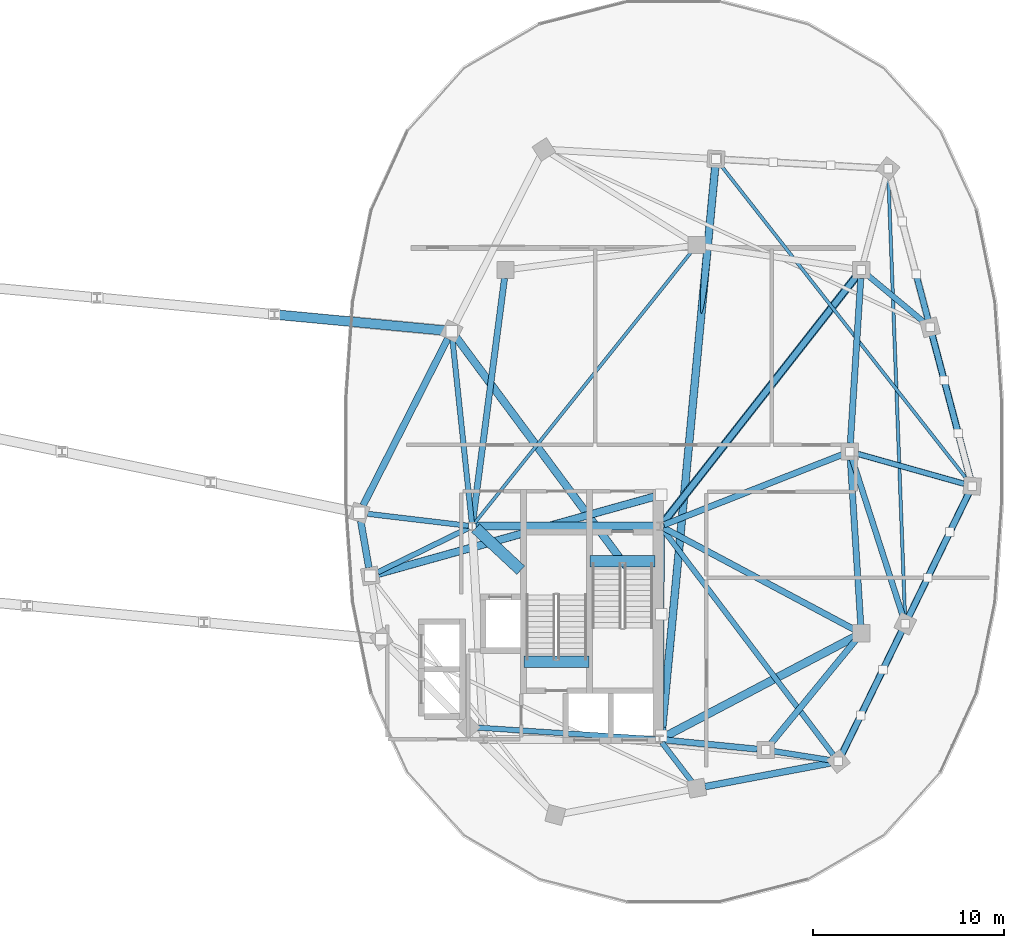
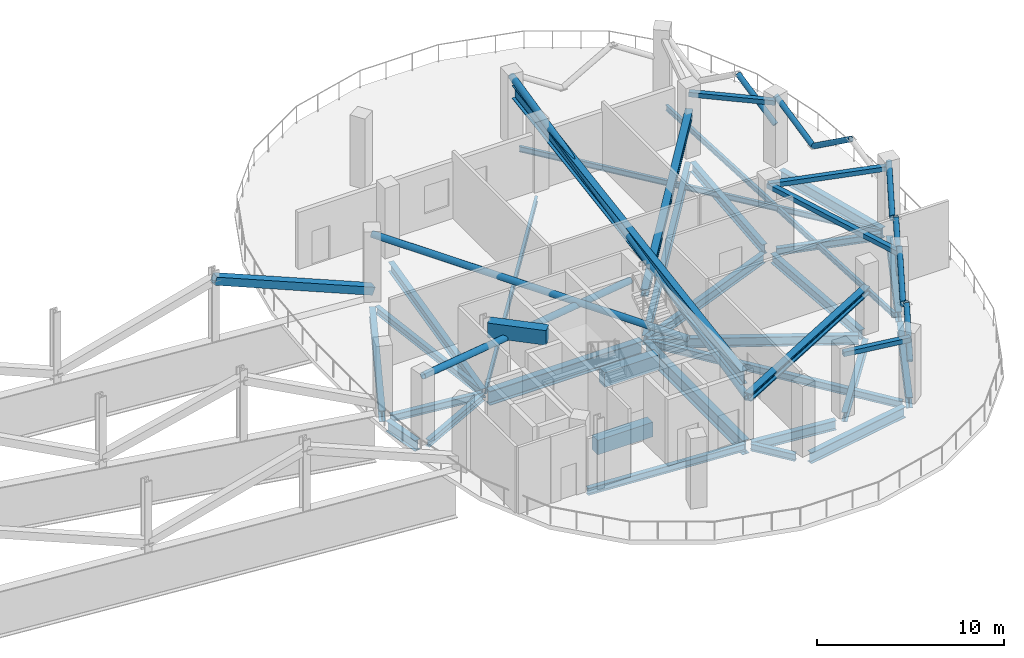
# One storey, part 5 of 16: 30 beams, 19 members.
"""IFC4 building model written with IfcOpenShell, lengths in metres."""

from ifc_helpers import new_model, si_unit, direction, frame, origin, origin_2d, place, context, subcontext, project, spatial, rectangle, hollow_rectangle, hollow_circle, i_section, extrude, material, material_profile, profile_set, type_object, element, save


model = new_model("IFC4")

# Units and contexts
model_context = context("Model", 3, precision=1e-05, world=origin(), true_north=direction((0.0, 1.0)))
body_context = subcontext(model_context, "Body", "Model", "MODEL_VIEW")
ifc_project = project(units=[si_unit("LENGTHUNIT", "METRE"), si_unit("AREAUNIT", "SQUARE_METRE"), si_unit("VOLUMEUNIT", "CUBIC_METRE"), si_unit("PLANEANGLEUNIT", "RADIAN"), si_unit("MASSUNIT", "GRAM", prefix="KILO"), si_unit("THERMODYNAMICTEMPERATUREUNIT", "KELVIN"), si_unit("POWERUNIT", "WATT")], contexts=[model_context])

# Site, building, storey
site_placement = place(None, origin())
site = spatial("IfcSite", under=ifc_project, at=site_placement, CompositionType="ELEMENT")
building_placement = place(site_placement, origin())
building = spatial("IfcBuilding", under=site, at=building_placement, Name="Cundina Bronze Exchange", CompositionType="ELEMENT")
storey_placement = place(building_placement, frame((0.0, 0.0, 235.0)))
storey = spatial("IfcBuildingStorey", under=building, at=storey_placement, Name="L62", CompositionType="ELEMENT", Elevation=235.0)

# Beams
ifc_material_1 = material(Name="Concrete C60/75", Category="concrete")
ifc_material_profile_1 = material_profile(ifc_material_1, rectangle(XDim=0.60009765625, YDim=0.949951171875, at=origin_2d()), Name="RC600X950", Category="concrete")
ifc_profile_set_1 = profile_set([ifc_material_profile_1], Name="Concrete C60/75")
beam_type_1 = type_object("IfcBeamType", Name="BM-COUP-RC950", PredefinedType="LINTEL", material=ifc_profile_set_1)
beam_1_placement = place(storey_placement, frame((27.6201171875, -5.719970703125, -0.47509765625), z_axis=(1.0, 0.0, 0.0), x_axis=(0.0, 1.0, 0.0)))
element("IfcBeam", 1, at=beam_1_placement, inside=storey, type_object=beam_type_1, Name="L62 Stair E1 Landing Header Beam", PredefinedType="LINTEL", context=body_context, shape_type="SweptSolid", body=[
    extrude(rectangle(XDim=0.60009765625, YDim=0.949951171875, at=origin_2d()), origin(), (0.0, 0.0, 1.0), 3.39990234375),
])
beam_2_placement = place(storey_placement, frame((24.159912109375, -10.97998046875, -0.47509765625), z_axis=(1.0, 0.0, 0.0), x_axis=(0.0, 1.0, 0.0)))
element("IfcBeam", 2, at=beam_2_placement, inside=storey, type_object=beam_type_1, Name="L62 Stair E2 Landing Header Beam", PredefinedType="LINTEL", context=body_context, shape_type="SweptSolid", body=[
    extrude(rectangle(XDim=0.60009765625, YDim=0.949951171875, at=origin_2d()), origin(), (0.0, 0.0, 1.0), 3.400146484375),
])
beam_3_placement = place(storey_placement, frame((21.6298828125, -4.0, 3.864990234375), z_axis=(0.731490439815, -0.681851696822, 0.0), x_axis=(0.681851696822, 0.731490439815, 0.0)))
element("IfcBeam", 3, at=beam_3_placement, inside=storey, type_object=beam_type_1, Name="L62 E Core Shear Coupling Lintel Beam", PredefinedType="LINTEL", context=body_context, shape_type="SweptSolid", body=[
    extrude(rectangle(XDim=0.60009765625, YDim=0.949951171875, at=origin_2d()), origin(), (0.0, 0.0, 1.0), 3.226318359375),
])
ifc_material_2 = material(Name="Steel ASTM A992 Grade 50", Category="steel")
ifc_material_profile_2 = material_profile(ifc_material_2, i_section(OverallWidth=0.280029296875, OverallDepth=0.462890625, WebThickness=0.0107421875, FlangeThickness=0.017333984375, FilletRadius=0.011962890625, at=origin_2d()), Name="W18X76", Category="steel")
ifc_profile_set_2 = profile_set([ifc_material_profile_2], Name="Steel ASTM A992 Grade 50")
beam_type_2 = type_object("IfcBeamType", Name="BM-FLR-W18A", PredefinedType="BEAM", material=ifc_profile_set_2)
beam_4_placement = place(storey_placement, frame((21.25537109375, -3.876953125, -0.511474609375), z_axis=(-0.993036786722, 0.117804669761, 0.0), x_axis=(-0.117804669761, -0.993036786722, 0.0)))
element("IfcBeam", 4, at=beam_4_placement, inside=storey, type_object=beam_type_2, Name="L62 Leg E Chordal Floor Beam 00", PredefinedType="BEAM", context=body_context, shape_type="SweptSolid", body=[
    extrude(i_section(OverallWidth=0.280029296875, OverallDepth=0.462890625, WebThickness=0.0107421875, FlangeThickness=0.017333984375, FilletRadius=0.011962890625, at=origin_2d()), origin(), (0.0, 0.0, 1.0), 5.307373046875),
])
beam_5_placement = place(storey_placement, frame((21.27392578125, -3.986083984375, -0.511474609375), z_axis=(-0.898613202677, -0.438741737214, 0.0), x_axis=(0.438741737214, -0.898613202677, 0.0)))
element("IfcBeam", 5, at=beam_5_placement, inside=storey, type_object=beam_type_2, Name="L62 Leg E Chordal Floor Beam 01", PredefinedType="BEAM", context=body_context, shape_type="SweptSolid", body=[
    extrude(i_section(OverallWidth=0.280029296875, OverallDepth=0.462890625, WebThickness=0.0107421875, FlangeThickness=0.017333984375, FilletRadius=0.011962890625, at=origin_2d()), origin(), (0.0, 0.0, 1.0), 5.2919921875),
])
beam_6_placement = place(storey_placement, frame((31.054443359375, -15.037353515625, -0.511474609375), z_axis=(-0.997894145252, 0.064863509559, 0.0), x_axis=(-0.064863509559, -0.997894145252, 0.0)))
element("IfcBeam", 6, at=beam_6_placement, inside=storey, type_object=beam_type_2, Name="L62 Leg E Chordal Floor Beam 03", PredefinedType="BEAM", context=body_context, shape_type="SweptSolid", body=[
    extrude(i_section(OverallWidth=0.280029296875, OverallDepth=0.462890625, WebThickness=0.0107421875, FlangeThickness=0.017333984375, FilletRadius=0.011962890625, at=origin_2d()), origin(), (0.0, 0.0, 1.0), 9.38720703125),
])
beam_7_placement = place(storey_placement, frame((31.369140625, -15.205810546875, -0.511474609375), z_axis=(0.60740437517, -0.794392802727, 0.0), x_axis=(0.794392802727, 0.60740437517, 0.0)))
element("IfcBeam", 7, at=beam_7_placement, inside=storey, type_object=beam_type_2, Name="L62 Leg E Chordal Floor Beam 05", PredefinedType="BEAM", context=body_context, shape_type="SweptSolid", body=[
    extrude(i_section(OverallWidth=0.280029296875, OverallDepth=0.462890625, WebThickness=0.0107421875, FlangeThickness=0.017333984375, FilletRadius=0.011962890625, at=origin_2d()), origin(), (0.0, 0.0, 1.0), 2.575927734375),
])
beam_8_placement = place(storey_placement, frame((31.418212890625, -4.056396484375, -0.511474609375), z_axis=(0.603104943786, -0.797661849897, 0.0), x_axis=(0.797661849897, 0.603104943786, 0.0)))
element("IfcBeam", 8, at=beam_8_placement, inside=storey, type_object=beam_type_2, Name="L62 Leg E Chordal Floor Beam 06", PredefinedType="BEAM", context=body_context, shape_type="SweptSolid", body=[
    extrude(i_section(OverallWidth=0.280029296875, OverallDepth=0.462890625, WebThickness=0.0107421875, FlangeThickness=0.017333984375, FilletRadius=0.011962890625, at=origin_2d()), origin(), (0.0, 0.0, 1.0), 14.785888671875),
])
beam_9_placement = place(storey_placement, frame((41.62158203125, -0.11865234375, -0.511474609375), z_axis=(0.96265679604, -0.270724755127, 0.0), x_axis=(0.270724755127, 0.96265679604, 0.0)))
element("IfcBeam", 9, at=beam_9_placement, inside=storey, type_object=beam_type_2, Name="L62 Leg E Chordal Floor Beam 08", PredefinedType="BEAM", context=body_context, shape_type="SweptSolid", body=[
    extrude(i_section(OverallWidth=0.280029296875, OverallDepth=0.462890625, WebThickness=0.0107421875, FlangeThickness=0.017333984375, FilletRadius=0.011962890625, at=origin_2d()), origin(), (0.0, 0.0, 1.0), 5.7724609375),
])
beam_10_placement = place(storey_placement, frame((21.429443359375, -3.705078125, -0.511474609375), z_axis=(-0.104810251666, 0.994492237851, 0.0), x_axis=(-0.994492237851, -0.104810251666, 0.0)))
element("IfcBeam", 10, at=beam_10_placement, inside=storey, type_object=beam_type_2, Name="L62 Leg E Chordal Floor Beam 13", PredefinedType="BEAM", context=body_context, shape_type="SweptSolid", body=[
    extrude(i_section(OverallWidth=0.280029296875, OverallDepth=0.462890625, WebThickness=0.0107421875, FlangeThickness=0.017333984375, FilletRadius=0.011962890625, at=origin_2d()), origin(), (0.0, 0.0, 1.0), 9.62255859375),
])
ifc_material_profile_3 = material_profile(ifc_material_2, i_section(OverallWidth=0.172119140625, OverallDepth=0.35791015625, WebThickness=0.0078125, FlangeThickness=0.01318359375, FilletRadius=0.010009765625, at=origin_2d()), Name="W14X38", Category="steel")
ifc_profile_set_3 = profile_set([ifc_material_profile_3], Name="Steel ASTM A992 Grade 50")
beam_type_3 = type_object("IfcBeamType", Name="BM-JST-W14", PredefinedType="JOIST", material=ifc_profile_set_3)
beam_11_placement = place(storey_placement, frame((21.572509765625, -3.746826171875, -0.458984375), z_axis=(0.624364266872, 0.781133319129, 0.0), x_axis=(-0.781133319129, 0.624364266872, 0.0)))
element("IfcBeam", 11, at=beam_11_placement, inside=storey, type_object=beam_type_3, Name="L62 E Interior Core-to-Ring Joist 2", PredefinedType="JOIST", context=body_context, shape_type="SweptSolid", body=[
    extrude(i_section(OverallWidth=0.172119140625, OverallDepth=0.35791015625, WebThickness=0.0078125, FlangeThickness=0.01318359375, FilletRadius=0.010009765625, at=origin_2d()), origin(), (0.0, 0.0, 1.0), 18.184814453125),
])
beam_12_placement = place(storey_placement, frame((44.08349609375, -8.562255859375, -0.458984375), z_axis=(-0.037790216102, 0.999285694667, 0.0), x_axis=(-0.999285694667, -0.037790216102, 0.0)))
element("IfcBeam", 12, at=beam_12_placement, inside=storey, type_object=beam_type_3, Name="L62 Leg E Lobe Floor Joist 07-10", PredefinedType="JOIST", context=body_context, shape_type="SweptSolid", body=[
    extrude(i_section(OverallWidth=0.172119140625, OverallDepth=0.35791015625, WebThickness=0.0078125, FlangeThickness=0.01318359375, FilletRadius=0.010009765625, at=origin_2d()), origin(), (0.0, 0.0, 1.0), 22.94091796875),
])
beam_13_placement = place(storey_placement, frame((47.329833984375, -1.455078125, -0.458984375), z_axis=(-0.616810493522, 0.787111691618, 0.0), x_axis=(-0.787111691618, -0.616810493522, 0.0)))
element("IfcBeam", 13, at=beam_13_placement, inside=storey, type_object=beam_type_3, Name="L62 Leg E Lobe Floor Joist 08-11", PredefinedType="JOIST", context=body_context, shape_type="SweptSolid", body=[
    extrude(i_section(OverallWidth=0.172119140625, OverallDepth=0.35791015625, WebThickness=0.0078125, FlangeThickness=0.01318359375, FilletRadius=0.010009765625, at=origin_2d()), origin(), (0.0, 0.0, 1.0), 20.8486328125),
])
ifc_material_profile_4 = material_profile(ifc_material_2, i_section(OverallWidth=0.39990234375, OverallDepth=0.85498046875, WebThickness=0.018310546875, FlangeThickness=0.029296875, FilletRadius=0.02001953125, at=origin_2d()), Name="W33X201", Category="steel")
ifc_profile_set_4 = profile_set([ifc_material_profile_4], Name="Steel ASTM A992 Grade 50")
beam_type_4 = type_object("IfcBeamType", Name="BM-OUT-W33", PredefinedType="USERDEFINED", material=ifc_profile_set_4)
beam_14_placement = place(storey_placement, frame((31.392333984375, -14.402099609375, 3.46240234375), z_axis=(0.094104780063, 0.995562298588, 0.0), x_axis=(-0.995562298588, 0.094104780063, 0.0)))
element("IfcBeam", 14, at=beam_14_placement, inside=storey, type_object=beam_type_4, Name="L62 E Outrigger Upper Tie Chord 1", ObjectType="GIRDER", PredefinedType="USERDEFINED", context=body_context, shape_type="SweptSolid", body=[
    extrude(i_section(OverallWidth=0.39990234375, OverallDepth=0.85498046875, WebThickness=0.018310546875, FlangeThickness=0.029296875, FilletRadius=0.02001953125, at=origin_2d()), origin(), (0.0, 0.0, 1.0), 29.396484375),
])
ifc_material_profile_5 = material_profile(ifc_material_2, i_section(OverallWidth=0.324951171875, OverallDepth=0.615966796875, WebThickness=0.013916015625, FlangeThickness=0.021484375, FilletRadius=0.01611328125, at=origin_2d()), Name="W24X117", Category="steel")
ifc_profile_set_5 = profile_set([ifc_material_profile_5], Name="Steel ASTM A992 Grade 50")
beam_type_5 = type_object("IfcBeamType", Name="BM-RING-W24", PredefinedType="USERDEFINED", material=ifc_profile_set_5)
beam_15_placement = place(storey_placement, frame((31.445068359375, -15.0693359375, -0.587890625), z_axis=(0.995123854478, -0.09863323096, 0.0), x_axis=(0.09863323096, 0.995123854478, 0.0)))
element("IfcBeam", 15, at=beam_15_placement, inside=storey, type_object=beam_type_5, Name="L62 E Inner Structural Ring Girder 01", ObjectType="GIRDER", PredefinedType="USERDEFINED", context=body_context, shape_type="SweptSolid", body=[
    extrude(i_section(OverallWidth=0.324951171875, OverallDepth=0.615966796875, WebThickness=0.013916015625, FlangeThickness=0.021484375, FilletRadius=0.01611328125, at=origin_2d()), origin(), (0.0, 0.0, 1.0), 4.943115234375),
])
beam_16_placement = place(storey_placement, frame((37.07763671875, -15.26123046875, -0.587890625), z_axis=(0.633912590175, 0.77340469873, 0.0), x_axis=(-0.77340469873, 0.633912590175, 0.0)))
element("IfcBeam", 16, at=beam_16_placement, inside=storey, type_object=beam_type_5, Name="L62 E Inner Structural Ring Girder 02", ObjectType="GIRDER", PredefinedType="USERDEFINED", context=body_context, shape_type="SweptSolid", body=[
    extrude(i_section(OverallWidth=0.324951171875, OverallDepth=0.615966796875, WebThickness=0.013916015625, FlangeThickness=0.021484375, FilletRadius=0.01611328125, at=origin_2d()), origin(), (0.0, 0.0, 1.0), 7.01123046875),
])
for number, where, z_axis, x_axis, name in (
    (17, (41.7724609375, -9.06298828125, -0.587890625), (-0.063046519736, 0.998010589297, 0.0), (-0.998010589297, -0.063046519736, 0.0), "L62 E Inner Structural Ring Girder 03"),
    (18, (41.2275390625, 0.43701171875, -0.587890625), (0.063046519736, 0.998010589297, 0.0), (-0.998010589297, 0.063046519736, 0.0), "L62 E Inner Structural Ring Girder 04"),
):
    element("IfcBeam", number, at=place(storey_placement, frame(where, z_axis=z_axis, x_axis=x_axis)), inside=storey, type_object=beam_type_5, Name=name, ObjectType="GIRDER", PredefinedType="USERDEFINED", context=body_context, shape_type="SweptSolid", body=[
        extrude(i_section(OverallWidth=0.324951171875, OverallDepth=0.615966796875, WebThickness=0.013916015625, FlangeThickness=0.021484375, FilletRadius=0.01611328125, at=origin_2d()), origin(), (0.0, 0.0, 1.0), 8.64306640625),
    ])
beam_17_placement = place(storey_placement, frame((23.143310546875, 9.065673828125, -0.587890625), z_axis=(-0.129501251979, -0.991579258424, 0.0), x_axis=(0.991579258424, -0.129501251979, 0.0)))
element("IfcBeam", 19, at=beam_17_placement, inside=storey, type_object=beam_type_5, Name="L62 E Inner Structural Ring Girder 07", ObjectType="GIRDER", PredefinedType="USERDEFINED", context=body_context, shape_type="SweptSolid", body=[
    extrude(i_section(OverallWidth=0.324951171875, OverallDepth=0.615966796875, WebThickness=0.013916015625, FlangeThickness=0.021484375, FilletRadius=0.01611328125, at=origin_2d()), origin(), (0.0, 0.0, 1.0), 12.8798828125),
])
beam_18_placement = place(storey_placement, frame((31.482421875, -3.828125, -0.587890625), z_axis=(0.930404106569, 0.366535398673, 0.0), x_axis=(-0.366535398673, 0.930404106569, 0.0)))
element("IfcBeam", 20, at=beam_18_placement, inside=storey, type_object=beam_type_5, Name="L62 E Core-to-Waist Tie Beam 1", ObjectType="GIRDER", PredefinedType="USERDEFINED", context=body_context, shape_type="SweptSolid", body=[
    extrude(i_section(OverallWidth=0.324951171875, OverallDepth=0.615966796875, WebThickness=0.013916015625, FlangeThickness=0.021484375, FilletRadius=0.01611328125, at=origin_2d()), origin(), (0.0, 0.0, 1.0), 10.00634765625),
])
beam_19_placement = place(storey_placement, frame((31.472900390625, -3.9921875, -0.587890625), z_axis=(0.882350541683, -0.470592734317, 0.0), x_axis=(0.470592734317, 0.882350541683, 0.0)))
element("IfcBeam", 21, at=beam_19_placement, inside=storey, type_object=beam_type_5, Name="L62 E Core-to-Waist Tie Beam 2", ObjectType="GIRDER", PredefinedType="USERDEFINED", context=body_context, shape_type="SweptSolid", body=[
    extrude(i_section(OverallWidth=0.324951171875, OverallDepth=0.615966796875, WebThickness=0.013916015625, FlangeThickness=0.021484375, FilletRadius=0.01611328125, at=origin_2d()), origin(), (0.0, 0.0, 1.0), 11.26611328125),
])
beam_20_placement = place(storey_placement, frame((31.4208984375, -3.74560546875, -0.587890625), z_axis=(0.616782900053, 0.787133314123, 0.0), x_axis=(-0.787133314123, 0.616782900053, 0.0)))
element("IfcBeam", 22, at=beam_20_placement, inside=storey, type_object=beam_type_5, Name="L62 E Core-to-Waist Tie Beam 3", ObjectType="GIRDER", PredefinedType="USERDEFINED", context=body_context, shape_type="SweptSolid", body=[
    extrude(i_section(OverallWidth=0.324951171875, OverallDepth=0.615966796875, WebThickness=0.013916015625, FlangeThickness=0.021484375, FilletRadius=0.01611328125, at=origin_2d()), origin(), (0.0, 0.0, 1.0), 16.3896484375),
])
ifc_material_profile_6 = material_profile(ifc_material_2, i_section(OverallWidth=0.35498046875, OverallDepth=0.695068359375, WebThickness=0.015380859375, FlangeThickness=0.02490234375, FilletRadius=0.01806640625, at=origin_2d()), Name="W27X146", Category="steel")
ifc_profile_set_6 = profile_set([ifc_material_profile_6], Name="Steel ASTM A992 Grade 50")
beam_type_6 = type_object("IfcBeamType", Name="BM-RING-W27", PredefinedType="USERDEFINED", material=ifc_profile_set_6)
beam_21_placement = place(storey_placement, frame((15.625244140625, -3.631591796875, -0.62744140625), z_axis=(0.171628556628, -0.985161732179, 0.0), x_axis=(0.985161732179, 0.171628556628, 0.0)))
element("IfcBeam", 23, at=beam_21_placement, inside=storey, type_object=beam_type_6, Name="L62 E Perimeter Ring Girder 00", ObjectType="GIRDER", PredefinedType="USERDEFINED", context=body_context, shape_type="SweptSolid", body=[
    extrude(i_section(OverallWidth=0.35498046875, OverallDepth=0.695068359375, WebThickness=0.015380859375, FlangeThickness=0.02490234375, FilletRadius=0.01806640625, at=origin_2d()), origin(), (0.0, 0.0, 1.0), 2.4736328125),
])
beam_22_placement = place(storey_placement, frame((33.63037109375, -17.5185546875, -0.62744140625), z_axis=(0.982573143022, 0.185876353022, 0.0), x_axis=(-0.185876353022, 0.982573143022, 0.0)))
element("IfcBeam", 24, at=beam_22_placement, inside=storey, type_object=beam_type_6, Name="L62 E Perimeter Ring Girder 05", ObjectType="GIRDER", PredefinedType="USERDEFINED", context=body_context, shape_type="SweptSolid", body=[
    extrude(i_section(OverallWidth=0.35498046875, OverallDepth=0.695068359375, WebThickness=0.015380859375, FlangeThickness=0.02490234375, FilletRadius=0.01806640625, at=origin_2d()), origin(), (0.0, 0.0, 1.0), 6.6552734375),
])
for number, where, z_axis, x_axis, name in (
    (25, (40.79150390625, -15.80615234375, -0.62744140625), (0.437173087764, 0.89937739094, 0.0), (-0.89937739094, 0.437173087764, 0.0), "L62 E Perimeter Ring Girder 06"),
    (26, (44.29150390625, -8.606201171875, -0.62744140625), (0.437173087764, 0.89937739094, 0.0), (-0.89937739094, 0.437173087764, 0.0), "L62 E Perimeter Ring Girder 07"),
):
    element("IfcBeam", number, at=place(storey_placement, frame(where, z_axis=z_axis, x_axis=x_axis)), inside=storey, type_object=beam_type_6, Name=name, ObjectType="GIRDER", PredefinedType="USERDEFINED", context=body_context, shape_type="SweptSolid", body=[
        extrude(i_section(OverallWidth=0.35498046875, OverallDepth=0.695068359375, WebThickness=0.015380859375, FlangeThickness=0.02490234375, FilletRadius=0.01806640625, at=origin_2d()), origin(), (0.0, 0.0, 1.0), 7.1298828125),
    ])
beam_23_placement = place(storey_placement, frame((47.48779296875, -1.376708984375, -0.62744140625), z_axis=(-0.256211934474, 0.966620631185, 0.0), x_axis=(-0.966620631185, -0.256211934474, 0.0)))
element("IfcBeam", 27, at=beam_23_placement, inside=storey, type_object=beam_type_6, Name="L62 E Perimeter Ring Girder 08", ObjectType="GIRDER", PredefinedType="USERDEFINED", context=body_context, shape_type="SweptSolid", body=[
    extrude(i_section(OverallWidth=0.35498046875, OverallDepth=0.695068359375, WebThickness=0.015380859375, FlangeThickness=0.02490234375, FilletRadius=0.01806640625, at=origin_2d()), origin(), (0.0, 0.0, 1.0), 7.710693359375),
])
beam_24_placement = place(storey_placement, frame((20.1767578125, 5.909423828125, -0.62744140625), z_axis=(-0.452846871434, -0.891588308039, 0.0), x_axis=(0.891588308039, -0.452846871434, 0.0)))
element("IfcBeam", 28, at=beam_24_placement, inside=storey, type_object=beam_type_6, Name="L62 E Perimeter Ring Girder 13", ObjectType="GIRDER", PredefinedType="USERDEFINED", context=body_context, shape_type="SweptSolid", body=[
    extrude(i_section(OverallWidth=0.35498046875, OverallDepth=0.695068359375, WebThickness=0.015380859375, FlangeThickness=0.02490234375, FilletRadius=0.01806640625, at=origin_2d()), origin(), (0.0, 0.0, 1.0), 9.779052734375),
])
ifc_material_profile_7 = material_profile(ifc_material_2, i_section(OverallWidth=0.41796875, OverallDepth=0.927001953125, WebThickness=0.019287109375, FlangeThickness=0.031982421875, FilletRadius=0.02392578125, at=origin_2d()), Name="W36X231", Category="steel")
ifc_profile_set_7 = profile_set([ifc_material_profile_7], Name="Steel ASTM A992 Grade 50")
beam_type_7 = type_object("IfcBeamType", Name="BM-WRN-W36B", PredefinedType="USERDEFINED", material=ifc_profile_set_7)
beam_25_placement = place(storey_placement, frame((31.10400390625, -3.89990234375, -0.743408203125), z_axis=(-1.0, 0.0, 0.0), x_axis=(0.0, -1.0, 0.0)))
element("IfcBeam", 29, at=beam_25_placement, inside=storey, type_object=beam_type_7, Name="L62 E Core Perimeter Tie Girder 1", ObjectType="GIRDER", PredefinedType="USERDEFINED", context=body_context, shape_type="SweptSolid", body=[
    extrude(i_section(OverallWidth=0.41796875, OverallDepth=0.927001953125, WebThickness=0.019287109375, FlangeThickness=0.031982421875, FilletRadius=0.02392578125, at=origin_2d()), origin(), (0.0, 0.0, 1.0), 9.4580078125),
])
beam_26_placement = place(storey_placement, frame((31.2509765625, -14.85400390625, -0.743408203125), z_axis=(0.004470623654, 0.999990006712, 0.0), x_axis=(-0.999990006712, 0.004470623654, 0.0)))
element("IfcBeam", 30, at=beam_26_placement, inside=storey, type_object=beam_type_7, Name="L62 E Core Perimeter Tie Girder 4", ObjectType="GIRDER", PredefinedType="USERDEFINED", context=body_context, shape_type="SweptSolid", body=[
    extrude(i_section(OverallWidth=0.41796875, OverallDepth=0.927001953125, WebThickness=0.019287109375, FlangeThickness=0.031982421875, FilletRadius=0.02392578125, at=origin_2d()), origin(), (0.0, 0.0, 1.0), 10.758056640625),
])

# Members
ifc_material_3 = material(Name="Steel ASTM A500 Grade C", Category="steel")
ifc_material_profile_8 = material_profile(ifc_material_3, hollow_circle(Radius=0.162109375, WallThickness=0.01611328125, at=origin_2d()), Name="CHS324X16", Category="steel")
ifc_profile_set_8 = profile_set([ifc_material_profile_8], Name="Steel ASTM A500 Grade C")
member_type_1 = type_object("IfcMemberType", Name="MBR-BLT-CHS324", PredefinedType="BRACE", material=ifc_profile_set_8)
for number, where, z_axis, x_axis, name in (
    (31, (46.86669921875, 0.966796875, 4.300048828125), (-0.213821746286, 0.806600542248, -0.551067896054), (-0.966613315255, -0.256239533977, 0.0), "L62 E Perimeter Belt M-Truss Diagonal 1B"),
    (32, (46.13330078125, 3.7333984375, 2.409912109375), (-0.213821746286, 0.806600542248, 0.551067896054), (-0.966613315255, -0.256239533977, 0.0), "L62 E Perimeter Belt M-Truss Diagonal 1C"),
):
    element("IfcMember", number, at=place(storey_placement, frame(where, z_axis=z_axis, x_axis=x_axis)), inside=storey, type_object=member_type_1, Name=name, PredefinedType="BRACE", context=body_context, shape_type="SweptSolid", body=[
        extrude(hollow_circle(Radius=0.162109375, WallThickness=0.01611328125, at=origin_2d()), origin(), (0.0, 0.0, 1.0), 3.429931640625),
    ])
member_1_placement = place(storey_placement, frame((44.10009765625, -9.0, 2.409912109375), z_axis=(0.356729366299, 0.733915795463, 0.578024017139), x_axis=(-0.899384841713, 0.437157759278, 0.0)))
element("IfcMember", 33, at=member_1_placement, inside=storey, type_object=member_type_1, Name="L62 E Perimeter Belt M-Truss Diagonal 2A", PredefinedType="BRACE", context=body_context, shape_type="SweptSolid", body=[
    extrude(hollow_circle(Radius=0.162109375, WallThickness=0.01611328125, at=origin_2d()), origin(), (0.0, 0.0, 1.0), 3.27001953125),
])
member_2_placement = place(storey_placement, frame((45.2666015625, -6.60009765625, 4.300048828125), z_axis=(0.356774974672, 0.733930691776, -0.577976952063), x_axis=(-0.899366355353, 0.437195790075, 0.0)))
element("IfcMember", 34, at=member_2_placement, inside=storey, type_object=member_type_1, Name="L62 E Perimeter Belt M-Truss Diagonal 2B", PredefinedType="BRACE", context=body_context, shape_type="SweptSolid", body=[
    extrude(hollow_circle(Radius=0.162109375, WallThickness=0.01611328125, at=origin_2d()), origin(), (0.0, 0.0, 1.0), 3.270263671875),
])
member_3_placement = place(storey_placement, frame((46.433349609375, -4.199951171875, 2.409912109375), z_axis=(0.356794523485, 0.733896247302, 0.578008621222), x_axis=(-0.899348867178, 0.437231763606, 0.0)))
element("IfcMember", 35, at=member_3_placement, inside=storey, type_object=member_type_1, Name="L62 E Perimeter Belt M-Truss Diagonal 2C", PredefinedType="BRACE", context=body_context, shape_type="SweptSolid", body=[
    extrude(hollow_circle(Radius=0.162109375, WallThickness=0.01611328125, at=origin_2d()), origin(), (0.0, 0.0, 1.0), 3.27001953125),
])
member_4_placement = place(storey_placement, frame((45.39990234375, 6.5, 2.409912109375), z_axis=(-0.213753820011, 0.806612816638, 0.551076281893), x_axis=(-0.966634439785, -0.256159832569, 0.0)))
element("IfcMember", 36, at=member_4_placement, inside=storey, type_object=member_type_1, Name="L62 E Perimeter Belt M-Truss Diagonal 3A", PredefinedType="BRACE", context=body_context, shape_type="SweptSolid", body=[
    extrude(hollow_circle(Radius=0.162109375, WallThickness=0.01611328125, at=origin_2d()), origin(), (0.0, 0.0, 1.0), 3.429931640625),
])
member_5_placement = place(storey_placement, frame((40.60009765625, -16.199951171875, 2.409912109375), z_axis=(0.356729366299, 0.733915795463, 0.578024017139), x_axis=(-0.899384841713, 0.437157759278, 0.0)))
element("IfcMember", 37, at=member_5_placement, inside=storey, type_object=member_type_1, Name="L62 E Perimeter Belt M-Truss Diagonal 4A", PredefinedType="BRACE", context=body_context, shape_type="SweptSolid", body=[
    extrude(hollow_circle(Radius=0.162109375, WallThickness=0.01611328125, at=origin_2d()), origin(), (0.0, 0.0, 1.0), 3.27001953125),
])
member_6_placement = place(storey_placement, frame((41.7666015625, -13.800048828125, 4.300048828125), z_axis=(0.356774974672, 0.733930691776, -0.577976952063), x_axis=(-0.899366355353, 0.437195790075, 0.0)))
element("IfcMember", 38, at=member_6_placement, inside=storey, type_object=member_type_1, Name="L62 E Perimeter Belt M-Truss Diagonal 4B", PredefinedType="BRACE", context=body_context, shape_type="SweptSolid", body=[
    extrude(hollow_circle(Radius=0.162109375, WallThickness=0.01611328125, at=origin_2d()), origin(), (0.0, 0.0, 1.0), 3.270263671875),
])
member_7_placement = place(storey_placement, frame((42.933349609375, -11.39990234375, 2.409912109375), z_axis=(0.356794523485, 0.733896247302, 0.578008621222), x_axis=(-0.899348867178, 0.437231763606, 0.0)))
element("IfcMember", 39, at=member_7_placement, inside=storey, type_object=member_type_1, Name="L62 E Perimeter Belt M-Truss Diagonal 4C", PredefinedType="BRACE", context=body_context, shape_type="SweptSolid", body=[
    extrude(hollow_circle(Radius=0.162109375, WallThickness=0.01611328125, at=origin_2d()), origin(), (0.0, 0.0, 1.0), 3.27001953125),
])
ifc_material_profile_9 = material_profile(ifc_material_3, hollow_rectangle(XDim=0.300048828125, YDim=0.300048828125, WallThickness=0.01611328125, at=origin_2d()), Name="HSS300X300X16", Category="steel")
ifc_profile_set_9 = profile_set([ifc_material_profile_9], Name="Steel ASTM A500 Grade C")
member_type_2 = type_object("IfcMemberType", Name="MBR-BLT-HSS300", PredefinedType="STRUT", material=ifc_profile_set_9)
member_8_placement = place(storey_placement, frame((41.199951171875, 0.0, 3.889892578125), z_axis=(0.962650641065, -0.270746640342, 0.0), x_axis=(0.270746640342, 0.962650641065, 0.0)))
element("IfcMember", 40, at=member_8_placement, inside=storey, type_object=member_type_2, Name="L62 E Outrigger Collector Strut 1", PredefinedType="STRUT", context=body_context, shape_type="SweptSolid", body=[
    extrude(hollow_rectangle(XDim=0.300048828125, YDim=0.300048828125, WallThickness=0.01611328125, at=origin_2d()), origin(), (0.0, 0.0, 1.0), 6.6484375),
])
member_9_placement = place(storey_placement, frame((41.199951171875, 0.0, 3.889892578125), z_axis=(0.306707801861, -0.951803721509, 0.0), x_axis=(0.951803721509, 0.306707801861, 0.0)))
element("IfcMember", 41, at=member_9_placement, inside=storey, type_object=member_type_2, Name="L62 E Outrigger Collector Strut 2", PredefinedType="STRUT", context=body_context, shape_type="SweptSolid", body=[
    extrude(hollow_rectangle(XDim=0.300048828125, YDim=0.300048828125, WallThickness=0.01611328125, at=origin_2d()), origin(), (0.0, 0.0, 1.0), 9.455810546875),
])
member_10_placement = place(storey_placement, frame((41.800048828125, 9.5, 3.889892578125), z_axis=(0.768208468069, -0.640199773186, 0.0), x_axis=(0.640199773186, 0.768208468069, 0.0)))
element("IfcMember", 42, at=member_10_placement, inside=storey, type_object=member_type_2, Name="L62 E Outrigger Collector Strut 3", PredefinedType="STRUT", context=body_context, shape_type="SweptSolid", body=[
    extrude(hollow_rectangle(XDim=0.300048828125, YDim=0.300048828125, WallThickness=0.01611328125, at=origin_2d()), origin(), (0.0, 0.0, 1.0), 4.68603515625),
])
member_11_placement = place(storey_placement, frame((36.800048828125, -15.60009765625, 3.889892578125), z_axis=(0.98776913913, -0.155923467706, 0.0), x_axis=(0.155923467706, 0.98776913913, 0.0)))
element("IfcMember", 43, at=member_11_placement, inside=storey, type_object=member_type_2, Name="L62 E Outrigger Collector Strut 4", PredefinedType="STRUT", context=body_context, shape_type="SweptSolid", body=[
    extrude(hollow_rectangle(XDim=0.300048828125, YDim=0.300048828125, WallThickness=0.01611328125, at=origin_2d()), origin(), (0.0, 0.0, 1.0), 3.84716796875),
])
ifc_material_profile_10 = material_profile(ifc_material_2, i_section(OverallWidth=0.424072265625, OverallDepth=0.47412109375, WebThickness=0.047607421875, FlangeThickness=0.0771484375, FilletRadius=0.01806640625, at=origin_2d()), Name="W14X426", Category="steel")
ifc_profile_set_10 = profile_set([ifc_material_profile_10], Name="Steel ASTM A992 Grade 50")
member_type_3 = type_object("IfcMemberType", Name="MBR-CHORD-W14X", PredefinedType="CHORD", material=ifc_profile_set_10)
member_12_placement = place(storey_placement, frame((31.300048828125, -3.89990234375, 2.64990234375), z_axis=(0.616786098303, 0.787130808024, 0.0), x_axis=(-0.787130808024, 0.616786098303, 0.0)))
element("IfcMember", 44, at=member_12_placement, inside=storey, type_object=member_type_3, Name="L62 East Outrigger Mid-Height Tie Chord 1", PredefinedType="CHORD", context=body_context, shape_type="SweptSolid", body=[
    extrude(i_section(OverallWidth=0.424072265625, OverallDepth=0.47412109375, WebThickness=0.047607421875, FlangeThickness=0.0771484375, FilletRadius=0.01806640625, at=origin_2d()), origin(), (0.0, 0.0, 1.0), 17.023681640625),
])
member_13_placement = place(storey_placement, frame((31.25, -15.050048828125, 2.64990234375), z_axis=(0.8850083895, 0.465575075058, 0.0), x_axis=(-0.465575075058, 0.8850083895, 0.0)))
element("IfcMember", 45, at=member_13_placement, inside=storey, type_object=member_type_3, Name="L62 East Outrigger Mid-Height Tie Chord 2", PredefinedType="CHORD", context=body_context, shape_type="SweptSolid", body=[
    extrude(i_section(OverallWidth=0.424072265625, OverallDepth=0.47412109375, WebThickness=0.047607421875, FlangeThickness=0.0771484375, FilletRadius=0.01806640625, at=origin_2d()), origin(), (0.0, 0.0, 1.0), 11.9208984375),
])
ifc_material_4 = material(Name="Steel ASTM A501 Grade B", Category="steel")
ifc_material_profile_11 = material_profile(ifc_material_4, hollow_circle(Radius=0.202880859375, WallThickness=0.02001953125, at=origin_2d()), Name="CHS406X20", Category="steel")
ifc_profile_set_11 = profile_set([ifc_material_profile_11], Name="Steel ASTM A501 Grade B")
member_type_4 = type_object("IfcMemberType", Name="MBR-OUT-CHS406", PredefinedType="BRACE", material=ifc_profile_set_11)
member_14_placement = place(storey_placement, frame((31.35009765625, -14.85009765625, 2.449951171875), z_axis=(0.093956433548, 0.994016085065, 0.055715448729), x_axis=(-0.995562504252, 0.094102604252, 0.0)))
element("IfcMember", 46, at=member_14_placement, inside=storey, type_object=member_type_4, Name="L62 E Outrigger Truss Diagonal 1", PredefinedType="BRACE", context=body_context, shape_type="SweptSolid", body=[
    extrude(hollow_circle(Radius=0.202880859375, WallThickness=0.02001953125, at=origin_2d()), origin(), (0.0, 0.0, 1.0), 30.33154296875),
])
member_15_placement = place(storey_placement, frame((31.35009765625, -8.5, 2.449951171875), z_axis=(-0.593161771712, 0.799885655625, 0.091334826351), x_axis=(-0.803243019028, -0.595651452094, 0.0)))
element("IfcMember", 47, at=member_15_placement, inside=storey, type_object=member_type_4, Name="L62 E Outrigger Truss Diagonal 2", PredefinedType="BRACE", context=body_context, shape_type="SweptSolid", body=[
    extrude(hollow_circle(Radius=0.202880859375, WallThickness=0.02001953125, at=origin_2d()), origin(), (0.0, 0.0, 1.0), 18.502685546875),
])
member_16_placement = place(storey_placement, frame((31.35009765625, -2.25, 2.449951171875), z_axis=(-0.957720010267, -0.267342130444, 0.106304126088), x_axis=(0.2688656137, -0.963177699996, 0.0)))
element("IfcMember", 48, at=member_16_placement, inside=storey, type_object=member_type_4, Name="L62 E Outrigger Truss Diagonal 3", PredefinedType="BRACE", context=body_context, shape_type="SweptSolid", body=[
    extrude(hollow_circle(Radius=0.202880859375, WallThickness=0.02001953125, at=origin_2d()), origin(), (0.0, 0.0, 1.0), 15.897216796875),
])
ifc_material_profile_12 = material_profile(ifc_material_4, hollow_rectangle(XDim=0.5, YDim=0.5, WallThickness=0.028076171875, at=origin_2d()), Name="HSS500X500X28", Category="steel")
ifc_profile_set_12 = profile_set([ifc_material_profile_12], Name="Steel ASTM A501 Grade B")
member_type_5 = type_object("IfcMemberType", Name="MBR-WRN-HSS500", PredefinedType="BRACE", material=ifc_profile_set_12)
member_17_placement = place(storey_placement, frame((11.106201171875, 7.175048828125, 3.929931640625), z_axis=(0.935813384467, -0.088343347028, -0.341245897394), x_axis=(0.093984877441, 0.995573625008, 0.0)))
element("IfcMember", 49, at=member_17_placement, inside=storey, type_object=member_type_5, Name="L62 Sky-Gate Warren Truss Diagonal Y3-P4", PredefinedType="BRACE", context=body_context, shape_type="SweptSolid", body=[
    extrude(hollow_rectangle(XDim=0.5, YDim=0.5, WallThickness=0.028076171875, at=origin_2d()), origin(), (0.0, 0.0, 1.0), 9.904541015625),
])

save(model, "model.ifc")
